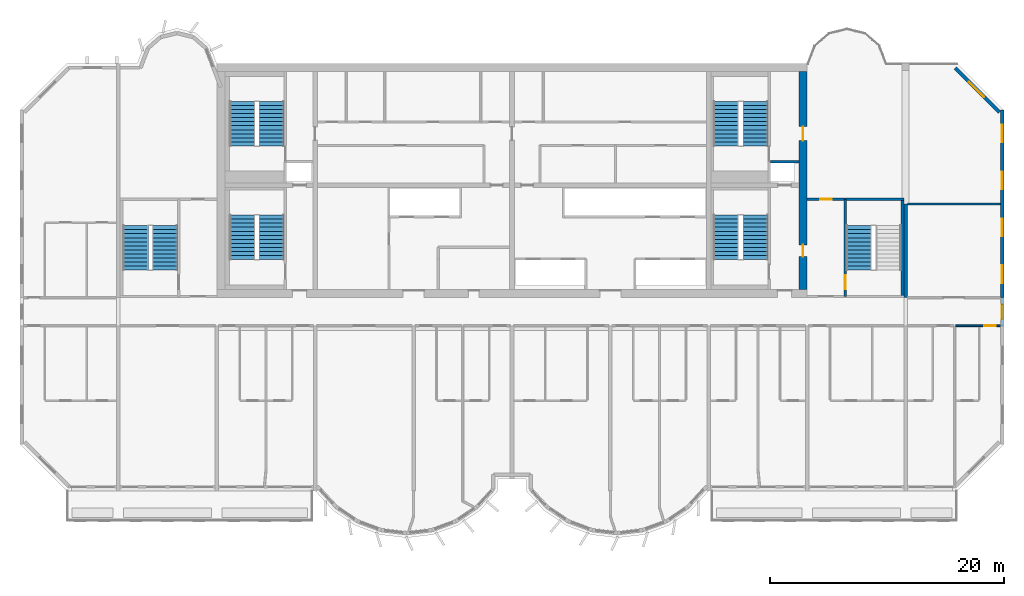
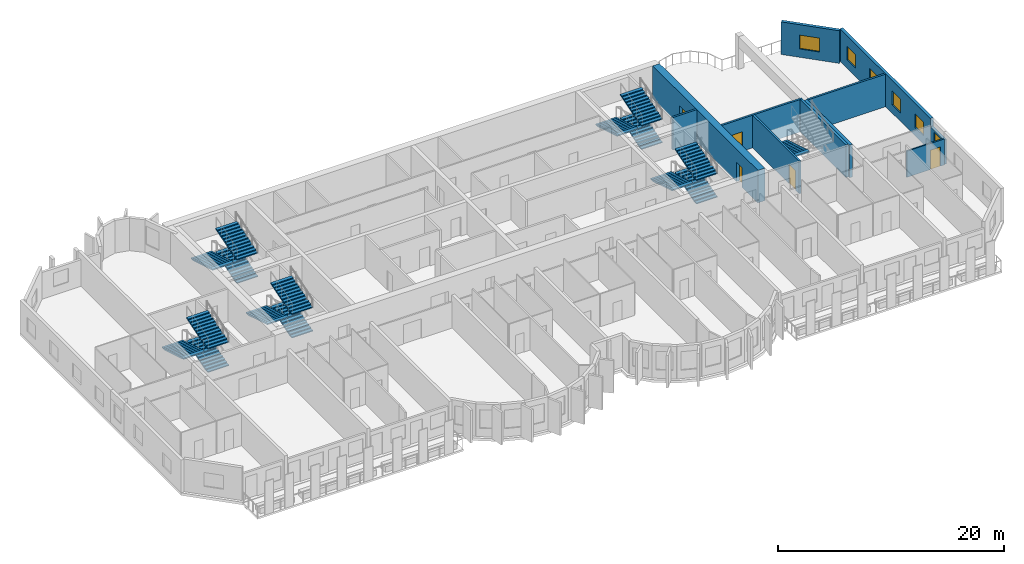
# One storey, part 9 of 13: 16 stair flights, 11 walls, 6 windows, 5 doors, 11 openings, 6 elements without a shape of their own.
"""IFC4 building model written with IfcOpenShell, lengths in metres."""

from ifc_helpers import new_model, si_unit, direction, frame, frame_2d, origin, place, context, subcontext, project, spatial, polyline, rectangle, outline, extrude, source, transform, mapped, material, layer, layer_set, type_object, element, fill, aggregate, save


model = new_model("IFC4")

# Units and contexts
model_context = context("Model", 3, precision=1e-05, world=origin(), true_north=direction((0.0, 1.0)))
body_context = subcontext(model_context, "Body", "Model", "MODEL_VIEW")
ifc_project = project(units=[si_unit("LENGTHUNIT", "METRE"), si_unit("AREAUNIT", "SQUARE_METRE"), si_unit("VOLUMEUNIT", "CUBIC_METRE"), si_unit("PLANEANGLEUNIT", "RADIAN"), si_unit("MASSUNIT", "GRAM", prefix="KILO")], contexts=[model_context])

# Site, building, storey
site_placement = place(None, origin())
site = spatial("IfcSite", under=ifc_project, at=site_placement, CompositionType="ELEMENT")
building_placement = place(site_placement, origin())
building = spatial("IfcBuilding", under=site, at=building_placement, Name="Vanashikhar Sky Hotel", CompositionType="ELEMENT")
storey_placement = place(building_placement, frame((0.0, 0.0, 155.39990234375)))
storey = spatial("IfcBuildingStorey", under=building, at=storey_placement, Name="L37", CompositionType="ELEMENT", Elevation=155.39990234375)

# Wall, openings, doors
ifc_material_1 = material(Name="Concrete M60", Category="concrete")
ifc_layer_1 = layer(ifc_material_1, 0.699951171875)
ifc_layer_set_1 = layer_set([ifc_layer_1], Name="RC core shell wall 700 Concrete M60")
wall_type_1 = type_object("IfcWallType", Name="RC core shell wall 700 Concrete M60", PredefinedType="SHEAR", material=ifc_layer_set_1)
shared_shape_1 = source(origin(), body_context, "Body", "SweptSolid", [
    extrude(rectangle(XDim=18.60009765625, YDim=0.699951171875, at=frame_2d((9.300048828125, 0.0))), origin(), (0.0, 0.0, 1.0), 3.52001953125),
])
wall_1_placement = place(storey_placement, frame((75.25, 22.699951171875, 0.0), z_axis=(0.0, 0.0, 1.0), x_axis=(0.0, 1.0, 0.0)))
wall_1 = element("IfcWall", 1, at=wall_1_placement, inside=storey, type_object=wall_type_1, Name="KW-L37-KE", PredefinedType="SHEAR", context=body_context, shape_type="MappedRepresentation", body=[
    mapped(shared_shape_1, transform((0.0, 0.0, 0.0), scale=1.0)),
])
shared_shape_2 = source(origin(), body_context, "Body", "SweptSolid", [
    extrude(rectangle(XDim=1.0, YDim=2.10009765625, at=frame_2d((0.5, 1.050048828125))), frame((0.0, 0.35986328125, 0.0), z_axis=(0.0, -1.0, 0.0), x_axis=(1.0, 0.0, 0.0)), (0.0, 0.0, 1.0), 0.719970703125),
])
opening_1_placement = place(wall_1_placement, frame((2.800048828125, 0.0, 0.0)))
opening_1 = element("IfcOpeningElement", 2, at=opening_1_placement, cuts=wall_1, Name="Opening DC-5", PredefinedType="OPENING", context=body_context, shape_type="MappedRepresentation", body=[
    mapped(shared_shape_2, transform((0.0, 0.0, 0.0), scale=1.0)),
])
shared_shape_3 = source(origin(), body_context, "Body", "SweptSolid", [
    extrude(rectangle(XDim=1.199951171875, YDim=2.10009765625, at=frame_2d((0.60009765625, 1.050048828125))), frame((0.0, 0.35986328125, 0.0), z_axis=(0.0, -1.0, 0.0), x_axis=(1.0, 0.0, 0.0)), (0.0, 0.0, 1.0), 0.719970703125),
])
opening_2_placement = place(wall_1_placement, frame((12.699951171875, 0.0, 0.0)))
opening_2 = element("IfcOpeningElement", 3, at=opening_2_placement, cuts=wall_1, Name="Opening DC-4-D", PredefinedType="OPENING", context=body_context, shape_type="MappedRepresentation", body=[
    mapped(shared_shape_3, transform((0.0, 0.0, 0.0), scale=1.0)),
])
ifc_material_2 = material(Name="Steel", Category="steel")
door_type_1 = type_object("IfcDoorType", Name="Refuge door 1000 FD120", OperationType="NOTDEFINED", PredefinedType="DOOR", material=ifc_material_2)
shared_shape_4 = source(origin(), body_context, "Body", "SweptSolid", [
    extrude(rectangle(XDim=1.0, YDim=2.10009765625, at=frame_2d((0.5, 1.050048828125))), frame((0.0, 0.02490234375, 0.0), z_axis=(0.0, -1.0, 0.0), x_axis=(1.0, 0.0, 0.0)), (0.0, 0.0, 1.0), 0.050048828125),
])
door_1_placement = place(opening_1_placement, origin())
door_1 = element("IfcDoor", 4, at=door_1_placement, inside=storey, type_object=door_type_1, Name="Refuge door 1000 FD120", OperationType="SINGLE_SWING_LEFT", OverallHeight=2.10009765625, OverallWidth=1.0, PredefinedType="DOOR", context=body_context, shape_type="MappedRepresentation", body=[
    mapped(shared_shape_4, transform((0.0, 0.0, 0.0), scale=1.0)),
])
fill(opening_1, door_1)
door_type_2 = type_object("IfcDoorType", Name="Service door 1200 FD120", OperationType="NOTDEFINED", PredefinedType="DOOR", material=ifc_material_2)
shared_shape_5 = source(origin(), body_context, "Body", "SweptSolid", [
    extrude(rectangle(XDim=1.199951171875, YDim=2.10009765625, at=frame_2d((0.60009765625, 1.050048828125))), frame((0.0, 0.02490234375, 0.0), z_axis=(0.0, -1.0, 0.0), x_axis=(1.0, 0.0, 0.0)), (0.0, 0.0, 1.0), 0.050048828125),
])
door_2_placement = place(opening_2_placement, origin())
door_2 = element("IfcDoor", 5, at=door_2_placement, inside=storey, type_object=door_type_2, Name="Service door 1200 FD120", OperationType="SINGLE_SWING_LEFT", OverallHeight=2.10009765625, OverallWidth=1.199951171875, PredefinedType="DOOR", context=body_context, shape_type="MappedRepresentation", body=[
    mapped(shared_shape_5, transform((0.0, 0.0, 0.0), scale=1.0)),
])
fill(opening_2, door_2)

# Wall, openings, windows
ifc_layer_2 = layer(ifc_material_1, 0.300048828125)
ifc_layer_set_2 = layer_set([ifc_layer_2], Name="RC shear wall 300 Concrete M60")
wall_type_2 = type_object("IfcWallType", Name="RC shear wall 300 Concrete M60", PredefinedType="SHEAR", material=ifc_layer_set_2)
shared_shape_6 = source(origin(), body_context, "Body", "SweptSolid", [
    extrude(rectangle(XDim=16.0, YDim=0.300048828125, at=frame_2d((8.0, 0.0))), origin(), (0.0, 0.0, 1.0), 3.52001953125),
])
wall_2_placement = place(storey_placement, frame((92.25, 22.0, 0.0), z_axis=(0.0, 0.0, 1.0), x_axis=(0.0, 1.0, 0.0)))
wall_2 = element("IfcWall", 6, at=wall_2_placement, inside=storey, type_object=wall_type_2, Name="CW-L37-XW12-2", PredefinedType="SHEAR", context=body_context, shape_type="MappedRepresentation", body=[
    mapped(shared_shape_6, transform((0.0, 0.0, 0.0), scale=1.0)),
])
shared_shape_7 = source(origin(), body_context, "Body", "SweptSolid", [
    extrude(rectangle(XDim=1.5, YDim=1.5, at=frame_2d((0.75, 0.75))), frame((0.0, 0.16015625, 0.0), z_axis=(0.0, -1.0, 0.0), x_axis=(1.0, 0.0, 0.0)), (0.0, 0.0, 1.0), 0.320068359375),
])
opening_3_placement = place(wall_2_placement, frame((1.25, 0.0, 0.89990234375)))
opening_3 = element("IfcOpeningElement", 7, at=opening_3_placement, cuts=wall_2, Name="Opening WN-1", PredefinedType="OPENING", context=body_context, shape_type="MappedRepresentation", body=[
    mapped(shared_shape_7, transform((0.0, 0.0, 0.0), scale=1.0)),
])
opening_4_placement = place(wall_2_placement, frame((5.25, 0.0, 0.89990234375)))
opening_4 = element("IfcOpeningElement", 8, at=opening_4_placement, cuts=wall_2, Name="Opening WN-1", PredefinedType="OPENING", context=body_context, shape_type="MappedRepresentation", body=[
    mapped(shared_shape_7, transform((0.0, 0.0, 0.0), scale=1.0)),
])
opening_5_placement = place(wall_2_placement, frame((9.25, 0.0, 0.89990234375)))
opening_5 = element("IfcOpeningElement", 9, at=opening_5_placement, cuts=wall_2, Name="Opening WN-1", PredefinedType="OPENING", context=body_context, shape_type="MappedRepresentation", body=[
    mapped(shared_shape_7, transform((0.0, 0.0, 0.0), scale=1.0)),
])
opening_6_placement = place(wall_2_placement, frame((13.25, 0.0, 0.89990234375)))
opening_6 = element("IfcOpeningElement", 10, at=opening_6_placement, cuts=wall_2, Name="Opening WN-1", PredefinedType="OPENING", context=body_context, shape_type="MappedRepresentation", body=[
    mapped(shared_shape_7, transform((0.0, 0.0, 0.0), scale=1.0)),
])
ifc_material_3 = material(Name="Glass", Category="glass")
window_type_1 = type_object("IfcWindowType", Name="Window 1500 x 1500", PartitioningType="SINGLE_PANEL", PredefinedType="WINDOW", material=ifc_material_3)
shared_shape_8 = source(origin(), body_context, "Body", "SweptSolid", [
    extrude(rectangle(XDim=1.5, YDim=1.5, at=frame_2d((0.75, 0.75))), frame((0.0, 0.030029296875, 0.0), z_axis=(0.0, -1.0, 0.0), x_axis=(1.0, 0.0, 0.0)), (0.0, 0.0, 1.0), 0.06005859375),
])
window_1_placement = place(opening_3_placement, origin())
window_1 = element("IfcWindow", 11, at=window_1_placement, inside=storey, type_object=window_type_1, Name="Window WN-1", OverallHeight=1.5, OverallWidth=1.5, PartitioningType="SINGLE_PANEL", PredefinedType="WINDOW", context=body_context, shape_type="MappedRepresentation", body=[
    mapped(shared_shape_8, transform((0.0, 0.0, 0.0), scale=1.0)),
])
fill(opening_3, window_1)
window_2_placement = place(opening_4_placement, origin())
window_2 = element("IfcWindow", 12, at=window_2_placement, inside=storey, type_object=window_type_1, Name="Window WN-1", OverallHeight=1.5, OverallWidth=1.5, PartitioningType="SINGLE_PANEL", PredefinedType="WINDOW", context=body_context, shape_type="MappedRepresentation", body=[
    mapped(shared_shape_8, transform((0.0, 0.0, 0.0), scale=1.0)),
])
fill(opening_4, window_2)
window_3_placement = place(opening_5_placement, origin())
window_3 = element("IfcWindow", 13, at=window_3_placement, inside=storey, type_object=window_type_1, Name="Window WN-1", OverallHeight=1.5, OverallWidth=1.5, PartitioningType="SINGLE_PANEL", PredefinedType="WINDOW", context=body_context, shape_type="MappedRepresentation", body=[
    mapped(shared_shape_8, transform((0.0, 0.0, 0.0), scale=1.0)),
])
fill(opening_5, window_3)
window_4_placement = place(opening_6_placement, origin())
window_4 = element("IfcWindow", 14, at=window_4_placement, inside=storey, type_object=window_type_1, Name="Window WN-1", OverallHeight=1.5, OverallWidth=1.5, PartitioningType="SINGLE_PANEL", PredefinedType="WINDOW", context=body_context, shape_type="MappedRepresentation", body=[
    mapped(shared_shape_8, transform((0.0, 0.0, 0.0), scale=1.0)),
])
fill(opening_6, window_4)

# Wall
shared_shape_9 = source(origin(), body_context, "Body", "SweptSolid", [
    extrude(rectangle(XDim=8.0, YDim=0.300048828125, at=frame_2d((4.0, 0.0))), origin(), (0.0, 0.0, 1.0), 3.52001953125),
])
wall_3_placement = place(storey_placement, frame((84.0, 22.0, 0.0), z_axis=(0.0, 0.0, 1.0), x_axis=(0.0, 1.0, 0.0)))
element("IfcWall", 15, at=wall_3_placement, inside=storey, type_object=wall_type_2, Name="CW-L37-XW11-2", PredefinedType="SHEAR", context=body_context, shape_type="MappedRepresentation", body=[
    mapped(shared_shape_9, transform((0.0, 0.0, 0.0), scale=1.0)),
])

# Wall, opening, window
ifc_material_4 = material(Name="Concrete M50", Category="concrete")
ifc_layer_3 = layer(ifc_material_4, 0.300048828125)
ifc_layer_set_3 = layer_set([ifc_layer_3], Name="Lobe wall 300")
wall_type_3 = type_object("IfcWallType", Name="Lobe wall 300", PredefinedType="SOLIDWALL", material=ifc_layer_set_3)
shared_shape_10 = source(origin(), body_context, "Body", "SweptSolid", [
    extrude(rectangle(XDim=5.32568359375, YDim=0.300048828125, at=frame_2d((2.662841796875, 0.0))), origin(), (0.0, 0.0, 1.0), 3.52001953125),
])
wall_4_placement = place(storey_placement, frame((92.0, 37.834228515625, 0.0), z_axis=(0.0, 0.0, 1.0), x_axis=(-0.707083859269, 0.707129702361, 0.0)))
wall_4 = element("IfcWall", 16, at=wall_4_placement, inside=storey, type_object=wall_type_3, Name="Corner wall", PredefinedType="SOLIDWALL", context=body_context, shape_type="MappedRepresentation", body=[
    mapped(shared_shape_10, transform((0.0, 0.0, 0.0), scale=1.0)),
])
shared_shape_11 = source(origin(), body_context, "Body", "SweptSolid", [
    extrude(rectangle(XDim=1.800048828125, YDim=1.5, at=frame_2d((0.89990234375, 0.75))), frame((0.0, 0.16015625, 0.0), z_axis=(0.0, -1.0, 0.0), x_axis=(1.0, 0.0, 0.0)), (0.0, 0.0, 1.0), 0.320068359375),
])
opening_7_placement = place(wall_4_placement, frame((1.8359375, 0.0, 0.89990234375)))
opening_7 = element("IfcOpeningElement", 17, at=opening_7_placement, cuts=wall_4, Name="Opening WN-4", PredefinedType="OPENING", context=body_context, shape_type="MappedRepresentation", body=[
    mapped(shared_shape_11, transform((0.0, 0.0, 0.0), scale=1.0)),
])
window_type_2 = type_object("IfcWindowType", Name="Corner window 1800 x 1500", PartitioningType="SINGLE_PANEL", PredefinedType="WINDOW", material=ifc_material_3)
shared_shape_12 = source(origin(), body_context, "Body", "SweptSolid", [
    extrude(rectangle(XDim=1.800048828125, YDim=1.5, at=frame_2d((0.89990234375, 0.75))), frame((0.0, 0.030029296875, 0.0), z_axis=(0.0, -1.0, 0.0), x_axis=(1.0, 0.0, 0.0)), (0.0, 0.0, 1.0), 0.06005859375),
])
window_5_placement = place(opening_7_placement, origin())
window_5 = element("IfcWindow", 18, at=window_5_placement, inside=storey, type_object=window_type_2, Name="Window WN-4", OverallHeight=1.5, OverallWidth=1.800048828125, PartitioningType="SINGLE_PANEL", PredefinedType="WINDOW", context=body_context, shape_type="MappedRepresentation", body=[
    mapped(shared_shape_12, transform((0.0, 0.0, 0.0), scale=1.0)),
])
fill(opening_7, window_5)

ifc_layer_4 = layer(ifc_material_4, 0.25)
ifc_layer_set_4 = layer_set([ifc_layer_4], Name="Rear and end board-marked wall 250")
wall_type_4 = type_object("IfcWallType", Name="Rear and end board-marked wall 250", PredefinedType="SOLIDWALL", material=ifc_layer_set_4)
shared_shape_13 = source(origin(), body_context, "Body", "SweptSolid", [
    extrude(rectangle(XDim=2.39990234375, YDim=0.25, at=frame_2d((1.199951171875, 0.0))), origin(), (0.0, 0.0, 1.0), 2.6201171875),
])
wall_5_placement = place(storey_placement, frame((92.25, 19.60009765625, 0.0), z_axis=(0.0, 0.0, 1.0), x_axis=(0.0, 1.0, 0.0)))
wall_5 = element("IfcWall", 19, at=wall_5_placement, inside=storey, type_object=wall_type_4, Name="End corridor infill wall", PredefinedType="SOLIDWALL", context=body_context, shape_type="MappedRepresentation", body=[
    mapped(shared_shape_13, transform((0.0, 0.0, 0.0), scale=1.0)),
])
shared_shape_14 = source(origin(), body_context, "Body", "SweptSolid", [
    extrude(rectangle(XDim=1.199951171875, YDim=1.5, at=frame_2d((0.60009765625, 0.75))), frame((0.0, 0.135009765625, 0.0), z_axis=(0.0, -1.0, 0.0), x_axis=(1.0, 0.0, 0.0)), (0.0, 0.0, 1.0), 0.27001953125),
])
opening_8_placement = place(wall_5_placement, frame((0.60009765625, 0.0, 0.89990234375)))
opening_8 = element("IfcOpeningElement", 20, at=opening_8_placement, cuts=wall_5, Name="Opening WN-3", PredefinedType="OPENING", context=body_context, shape_type="MappedRepresentation", body=[
    mapped(shared_shape_14, transform((0.0, 0.0, 0.0), scale=1.0)),
])
window_type_3 = type_object("IfcWindowType", Name="Corridor end window 1200 x 1500", PartitioningType="SINGLE_PANEL", PredefinedType="WINDOW", material=ifc_material_3)
shared_shape_15 = source(origin(), body_context, "Body", "SweptSolid", [
    extrude(rectangle(XDim=1.199951171875, YDim=1.5, at=frame_2d((0.60009765625, 0.75))), frame((0.0, 0.030029296875, 0.0), z_axis=(0.0, -1.0, 0.0), x_axis=(1.0, 0.0, 0.0)), (0.0, 0.0, 1.0), 0.06005859375),
])
window_6_placement = place(opening_8_placement, origin())
window_6 = element("IfcWindow", 21, at=window_6_placement, inside=storey, type_object=window_type_3, Name="Window WN-3", OverallHeight=1.5, OverallWidth=1.199951171875, PartitioningType="SINGLE_PANEL", PredefinedType="WINDOW", context=body_context, shape_type="MappedRepresentation", body=[
    mapped(shared_shape_15, transform((0.0, 0.0, 0.0), scale=1.0)),
])
fill(opening_8, window_6)

# Wall, opening, door
ifc_layer_5 = layer(ifc_material_4, 0.199951171875)
ifc_layer_set_5 = layer_set([ifc_layer_5], Name="Stair wall 200")
wall_type_5 = type_object("IfcWallType", Name="Stair wall 200", PredefinedType="SOLIDWALL", material=ifc_layer_set_5)
shared_shape_16 = source(origin(), body_context, "Body", "SweptSolid", [
    extrude(rectangle(XDim=8.2998046875, YDim=0.199951171875, at=frame_2d((4.14990234375, 0.0))), origin(), (0.0, 0.0, 1.0), 3.52001953125),
])
wall_6_placement = place(storey_placement, frame((78.85009765625, 22.10009765625, 0.0), z_axis=(0.0, 0.0, 1.0), x_axis=(0.0, 1.0, 0.0)))
wall_6 = element("IfcWall", 22, at=wall_6_placement, inside=storey, type_object=wall_type_5, Name="Stair wall 200", PredefinedType="SOLIDWALL", context=body_context, shape_type="MappedRepresentation", body=[
    mapped(shared_shape_16, transform((0.0, 0.0, 0.0), scale=1.0)),
])
shared_shape_17 = source(origin(), body_context, "Body", "SweptSolid", [
    extrude(rectangle(XDim=1.199951171875, YDim=2.10009765625, at=frame_2d((0.60009765625, 1.050048828125))), frame((0.0, 0.10986328125, 0.0), z_axis=(0.0, -1.0, 0.0), x_axis=(1.0, 0.0, 0.0)), (0.0, 0.0, 1.0), 0.219970703125),
])
opening_9_placement = place(wall_6_placement, frame((0.60009765625, 0.0, 0.0)))
opening_9 = element("IfcOpeningElement", 23, at=opening_9_placement, cuts=wall_6, Name="Opening DC-1", PredefinedType="OPENING", context=body_context, shape_type="MappedRepresentation", body=[
    mapped(shared_shape_17, transform((0.0, 0.0, 0.0), scale=1.0)),
])
door_type_3 = type_object("IfcDoorType", Name="Stair door 1200 FD120", OperationType="NOTDEFINED", PredefinedType="DOOR", material=ifc_material_2)
door_3_placement = place(opening_9_placement, origin())
door_3 = element("IfcDoor", 24, at=door_3_placement, inside=storey, type_object=door_type_3, Name="Stair door 1200 FD120", OperationType="SINGLE_SWING_RIGHT", OverallHeight=2.10009765625, OverallWidth=1.199951171875, PredefinedType="DOOR", context=body_context, shape_type="MappedRepresentation", body=[
    mapped(shared_shape_5, transform((0.0, 0.0, 0.0), scale=1.0)),
])
fill(opening_9, door_3)

# Wall
ifc_material_5 = material(Name="Concrete M40", Category="concrete")
ifc_layer_6 = layer(ifc_material_5, 0.199951171875)
ifc_layer_set_6 = layer_set([ifc_layer_6], Name="Shaft wall 200")
wall_type_6 = type_object("IfcWallType", Name="Shaft wall 200", PredefinedType="SOLIDWALL", material=ifc_layer_set_6)
shared_shape_18 = source(origin(), body_context, "Body", "SweptSolid", [
    extrude(rectangle(XDim=2.449951171875, YDim=0.199951171875, at=frame_2d((1.22509765625, 0.0))), origin(), (0.0, 0.0, 1.0), 3.52001953125),
])
wall_7_placement = place(storey_placement, frame((72.449951171875, 33.60009765625, 0.0), z_axis=(0.0, 0.0, 1.0), x_axis=(1.0, 0.0, 0.0)))
element("IfcWall", 25, at=wall_7_placement, inside=storey, type_object=wall_type_6, Name="Shaft wall 200", PredefinedType="SOLIDWALL", context=body_context, shape_type="MappedRepresentation", body=[
    mapped(shared_shape_18, transform((0.0, 0.0, 0.0), scale=1.0)),
])

# Wall, opening, door
shared_shape_19 = source(origin(), body_context, "Body", "SweptSolid", [
    extrude(rectangle(XDim=8.25, YDim=0.199951171875, at=frame_2d((4.125, 0.0))), origin(), (0.0, 0.0, 1.0), 3.52001953125),
])
wall_8_placement = place(storey_placement, frame((83.85009765625, 30.39990234375, 0.0), z_axis=(0.0, 0.0, 1.0), x_axis=(-1.0, 0.0, 0.0)))
wall_8 = element("IfcWall", 26, at=wall_8_placement, inside=storey, type_object=wall_type_5, Name="Stair wall 200", PredefinedType="SOLIDWALL", context=body_context, shape_type="MappedRepresentation", body=[
    mapped(shared_shape_19, transform((0.0, 0.0, 0.0), scale=1.0)),
])
shared_shape_20 = source(origin(), body_context, "Body", "SweptSolid", [
    extrude(rectangle(XDim=1.0, YDim=2.10009765625, at=frame_2d((0.5, 1.050048828125))), frame((0.0, 0.10986328125, 0.0), z_axis=(0.0, -1.0, 0.0), x_axis=(1.0, 0.0, 0.0)), (0.0, 0.0, 1.0), 0.219970703125),
])
opening_10_placement = place(wall_8_placement, frame((6.14990234375, 0.0, 0.0)))
opening_10 = element("IfcOpeningElement", 27, at=opening_10_placement, cuts=wall_8, Name="Opening DC-6", PredefinedType="OPENING", context=body_context, shape_type="MappedRepresentation", body=[
    mapped(shared_shape_20, transform((0.0, 0.0, 0.0), scale=1.0)),
])
door_type_4 = type_object("IfcDoorType", Name="Pocket door 1000 FD60", OperationType="NOTDEFINED", PredefinedType="DOOR", material=ifc_material_2)
door_4_placement = place(opening_10_placement, origin())
door_4 = element("IfcDoor", 28, at=door_4_placement, inside=storey, type_object=door_type_4, Name="Pocket door 1000 FD60", OperationType="SINGLE_SWING_LEFT", OverallHeight=2.10009765625, OverallWidth=1.0, PredefinedType="DOOR", context=body_context, shape_type="MappedRepresentation", body=[
    mapped(shared_shape_4, transform((0.0, 0.0, 0.0), scale=1.0)),
])
fill(opening_10, door_4)

# Wall
ifc_layer_7 = layer(ifc_material_4, 0.25)
ifc_layer_set_7 = layer_set([ifc_layer_7], Name="Stair infill wall 250")
wall_type_7 = type_object("IfcWallType", Name="Stair infill wall 250", PredefinedType="SOLIDWALL", material=ifc_layer_set_7)
shared_shape_21 = source(origin(), body_context, "Body", "SweptSolid", [
    extrude(rectangle(XDim=8.10009765625, YDim=0.25, at=frame_2d((4.050048828125, 0.0))), origin(), (0.0, 0.0, 1.0), 3.52001953125),
])
wall_9_placement = place(storey_placement, frame((83.72509765625, 22.199951171875, 0.0), z_axis=(0.0, 0.0, 1.0), x_axis=(0.0, 1.0, 0.0)))
element("IfcWall", 29, at=wall_9_placement, inside=storey, type_object=wall_type_7, Name="Stair infill wall 250", PredefinedType="SOLIDWALL", context=body_context, shape_type="MappedRepresentation", body=[
    mapped(shared_shape_21, transform((0.0, 0.0, 0.0), scale=1.0)),
])

# Wall, opening, door
ifc_material_6 = material(Name="Gypsum plasterboard partition")
ifc_layer_8 = layer(ifc_material_6, 0.14990234375)
ifc_layer_set_8 = layer_set([ifc_layer_8], Name="Corridor and demising partition 150")
wall_type_8 = type_object("IfcWallType", Name="Corridor and demising partition 150", PredefinedType="PARTITIONING", material=ifc_layer_set_8)
shared_shape_22 = source(origin(), body_context, "Body", "SweptSolid", [
    extrude(rectangle(XDim=3.8251953125, YDim=0.14990234375, at=frame_2d((1.91259765625, 0.0))), origin(), (0.0, 0.0, 1.0), 2.820068359375),
])
wall_10_placement = place(storey_placement, frame((88.27490234375, 19.60009765625, 0.0), z_axis=(0.0, 0.0, 1.0), x_axis=(1.0, 0.0, 0.0)))
wall_10 = element("IfcWall", 30, at=wall_10_placement, inside=storey, type_object=wall_type_8, Name="W-L37-PW051", PredefinedType="PARTITIONING", context=body_context, shape_type="MappedRepresentation", body=[
    mapped(shared_shape_22, transform((0.0, 0.0, 0.0), scale=1.0)),
])
shared_shape_23 = source(origin(), body_context, "Body", "SweptSolid", [
    extrude(rectangle(XDim=1.0, YDim=2.10009765625, at=frame_2d((0.5, 1.050048828125))), frame((0.0, 0.0849609375, 0.0), z_axis=(0.0, -1.0, 0.0), x_axis=(1.0, 0.0, 0.0)), (0.0, 0.0, 1.0), 0.169921875),
])
opening_11_placement = place(wall_10_placement, frame((2.425048828125, 0.0, 0.0)))
opening_11 = element("IfcOpeningElement", 31, at=opening_11_placement, cuts=wall_10, Name="Opening D-01", PredefinedType="OPENING", context=body_context, shape_type="MappedRepresentation", body=[
    mapped(shared_shape_23, transform((0.0, 0.0, 0.0), scale=1.0)),
])
ifc_material_7 = material(Name="Timber fire door", Category="wood")
door_type_5 = type_object("IfcDoorType", Name="Guest entry door 1000 FD30S", OperationType="NOTDEFINED", PredefinedType="DOOR", material=ifc_material_7)
door_5_placement = place(opening_11_placement, origin())
door_5 = element("IfcDoor", 32, at=door_5_placement, inside=storey, type_object=door_type_5, Name="D-L37-031", OperationType="SINGLE_SWING_RIGHT", OverallHeight=2.10009765625, OverallWidth=1.0, PredefinedType="DOOR", context=body_context, shape_type="MappedRepresentation", body=[
    mapped(shared_shape_4, transform((0.0, 0.0, 0.0), scale=1.0)),
])
fill(opening_11, door_5)

# Wall
ifc_material_8 = material(Name="Masonry partition", Category="masonry")
ifc_layer_9 = layer(ifc_material_8, 0.199951171875)
ifc_layer_set_9 = layer_set([ifc_layer_9], Name="Refuge enclosure wall 200")
wall_type_9 = type_object("IfcWallType", Name="Refuge enclosure wall 200", PredefinedType="PARTITIONING", material=ifc_layer_set_9)
shared_shape_24 = source(origin(), body_context, "Body", "SweptSolid", [
    extrude(rectangle(XDim=7.9501953125, YDim=0.199951171875, at=frame_2d((3.97509765625, 0.0))), origin(), (0.0, 0.0, 1.0), 3.52001953125),
])
wall_11_placement = place(storey_placement, frame((84.14990234375, 30.0, 0.0), z_axis=(0.0, 0.0, 1.0), x_axis=(1.0, 0.0, 0.0)))
element("IfcWall", 33, at=wall_11_placement, inside=storey, type_object=wall_type_9, Name="W-L37-PW061", PredefinedType="PARTITIONING", context=body_context, shape_type="MappedRepresentation", body=[
    mapped(shared_shape_24, transform((0.0, 0.0, 0.0), scale=1.0)),
])

# Stair, stair flights
stair_type = type_object("IfcStairType", Name="Exit stair 2150", PredefinedType="DOUBLE_RETURN_STAIR", material=ifc_material_5)
stair_1_placement = place(storey_placement, origin())
stair_1 = element("IfcStair", 34, at=stair_1_placement, inside=storey, type_object=stair_type, Name="L37 Exit stair 1", PredefinedType="DOUBLE_RETURN_STAIR")
stair_flight_type = type_object("IfcStairFlightType", Name="Stair flight 2150", PredefinedType="STRAIGHT", material=ifc_material_5)
shared_shape_25 = source(origin(), body_context, "Body", "SweptSolid", [
    extrude(outline(polyline([(0.0, 0.0), (0.0, 0.10546875), (0.345458984375, 0.10546875), (0.345458984375, 0.211181640625), (0.69091796875, 0.211181640625), (0.69091796875, 0.316650390625), (1.036376953125, 0.316650390625), (1.036376953125, 0.422119140625), (1.3818359375, 0.422119140625), (1.3818359375, 0.52783203125), (1.727294921875, 0.52783203125), (1.727294921875, 0.63330078125), (2.07275390625, 0.63330078125), (2.07275390625, 0.73876953125), (2.418212890625, 0.73876953125), (2.418212890625, 0.844482421875), (2.763671875, 0.844482421875), (2.763671875, 0.949951171875), (3.109130859375, 0.949951171875), (3.109130859375, 1.0556640625), (3.45458984375, 1.0556640625), (3.45458984375, 1.1611328125), (3.800048828125, 1.1611328125), (3.800048828125, 1.2666015625), (3.800048828125, 1.035400390625), (0.4111328125, 0.0), (0.0, 0.0)])), frame((0.0, 1.074951171875, 0.0), z_axis=(0.0, -1.0, 0.0), x_axis=(1.0, 0.0, 0.0)), (0.0, 0.0, 1.0), 2.14990234375),
])
stair_flight_1_placement = place(storey_placement, frame((29.875, 25.25, 0.0), z_axis=(0.0, 0.0, 1.0), x_axis=(0.0, 1.0, 0.0)))
stair_flight_1 = element("IfcStairFlight", 35, at=stair_flight_1_placement, type_object=stair_flight_type, Name="ST-C1 flight 1", NumberOfRisers=12, NumberOfTreads=11, PredefinedType="STRAIGHT", RiserHeight=0.105555556, TreadLength=0.345454545, context=body_context, shape_type="MappedRepresentation", body=[
    mapped(shared_shape_25, transform((0.0, 0.0, 0.0), scale=1.0)),
])
stair_flight_2_placement = place(storey_placement, frame((27.375, 29.050048828125, 1.266845703125), z_axis=(0.0, 0.0, 1.0), x_axis=(0.0, -1.0, 0.0)))
stair_flight_2 = element("IfcStairFlight", 36, at=stair_flight_2_placement, type_object=stair_flight_type, Name="ST-C1 flight 2", NumberOfRisers=12, NumberOfTreads=11, PredefinedType="STRAIGHT", RiserHeight=0.105555556, TreadLength=0.345454545, context=body_context, shape_type="MappedRepresentation", body=[
    mapped(shared_shape_25, transform((0.0, 0.0, 0.0), scale=1.0)),
])
stair_flight_3_placement = place(storey_placement, frame((29.875, 25.25, 2.533447265625), z_axis=(0.0, 0.0, 1.0), x_axis=(0.0, 1.0, 0.0)))
stair_flight_3 = element("IfcStairFlight", 37, at=stair_flight_3_placement, type_object=stair_flight_type, Name="ST-C1 flight 3", NumberOfRisers=12, NumberOfTreads=11, PredefinedType="STRAIGHT", RiserHeight=0.105555556, TreadLength=0.345454545, context=body_context, shape_type="MappedRepresentation", body=[
    mapped(shared_shape_25, transform((0.0, 0.0, 0.0), scale=1.0)),
])
aggregate(stair_1, [stair_flight_1, stair_flight_2, stair_flight_3])

stair_2_placement = place(storey_placement, origin())
stair_2 = element("IfcStair", 38, at=stair_2_placement, inside=storey, type_object=stair_type, Name="L37 Exit stair 2", PredefinedType="DOUBLE_RETURN_STAIR")
stair_flight_4_placement = place(storey_placement, frame((71.175048828125, 25.25, 0.0), z_axis=(0.0, 0.0, 1.0), x_axis=(0.0, 1.0, 0.0)))
stair_flight_4 = element("IfcStairFlight", 39, at=stair_flight_4_placement, type_object=stair_flight_type, Name="ST-C2 flight 1", NumberOfRisers=12, NumberOfTreads=11, PredefinedType="STRAIGHT", RiserHeight=0.105555556, TreadLength=0.345454545, context=body_context, shape_type="MappedRepresentation", body=[
    mapped(shared_shape_25, transform((0.0, 0.0, 0.0), scale=1.0)),
])
stair_flight_5_placement = place(storey_placement, frame((68.675048828125, 29.050048828125, 1.266845703125), z_axis=(0.0, 0.0, 1.0), x_axis=(0.0, -1.0, 0.0)))
stair_flight_5 = element("IfcStairFlight", 40, at=stair_flight_5_placement, type_object=stair_flight_type, Name="ST-C2 flight 2", NumberOfRisers=12, NumberOfTreads=11, PredefinedType="STRAIGHT", RiserHeight=0.105555556, TreadLength=0.345454545, context=body_context, shape_type="MappedRepresentation", body=[
    mapped(shared_shape_25, transform((0.0, 0.0, 0.0), scale=1.0)),
])
stair_flight_6_placement = place(storey_placement, frame((71.175048828125, 25.25, 2.533447265625), z_axis=(0.0, 0.0, 1.0), x_axis=(0.0, 1.0, 0.0)))
stair_flight_6 = element("IfcStairFlight", 41, at=stair_flight_6_placement, type_object=stair_flight_type, Name="ST-C2 flight 3", NumberOfRisers=12, NumberOfTreads=11, PredefinedType="STRAIGHT", RiserHeight=0.105555556, TreadLength=0.345454545, context=body_context, shape_type="MappedRepresentation", body=[
    mapped(shared_shape_25, transform((0.0, 0.0, 0.0), scale=1.0)),
])
aggregate(stair_2, [stair_flight_4, stair_flight_5, stair_flight_6])

stair_3_placement = place(storey_placement, origin())
stair_3 = element("IfcStair", 42, at=stair_3_placement, inside=storey, type_object=stair_type, Name="L37 Exit stair 3", PredefinedType="DOUBLE_RETURN_STAIR")
stair_flight_7_placement = place(storey_placement, frame((20.77490234375, 24.35009765625, 0.0), z_axis=(0.0, 0.0, 1.0), x_axis=(0.0, 1.0, 0.0)))
stair_flight_7 = element("IfcStairFlight", 43, at=stair_flight_7_placement, type_object=stair_flight_type, Name="ST-W flight 1", NumberOfRisers=12, NumberOfTreads=11, PredefinedType="STRAIGHT", RiserHeight=0.105555556, TreadLength=0.345454545, context=body_context, shape_type="MappedRepresentation", body=[
    mapped(shared_shape_25, transform((0.0, 0.0, 0.0), scale=1.0)),
])
stair_flight_8_placement = place(storey_placement, frame((18.27490234375, 28.14990234375, 1.266845703125), z_axis=(0.0, 0.0, 1.0), x_axis=(0.0, -1.0, 0.0)))
stair_flight_8 = element("IfcStairFlight", 44, at=stair_flight_8_placement, type_object=stair_flight_type, Name="ST-W flight 2", NumberOfRisers=12, NumberOfTreads=11, PredefinedType="STRAIGHT", RiserHeight=0.105555556, TreadLength=0.345454545, context=body_context, shape_type="MappedRepresentation", body=[
    mapped(shared_shape_25, transform((0.0, 0.0, 0.0), scale=1.0)),
])
stair_flight_9_placement = place(storey_placement, frame((20.77490234375, 24.35009765625, 2.533447265625), z_axis=(0.0, 0.0, 1.0), x_axis=(0.0, 1.0, 0.0)))
stair_flight_9 = element("IfcStairFlight", 45, at=stair_flight_9_placement, type_object=stair_flight_type, Name="ST-W flight 3", NumberOfRisers=12, NumberOfTreads=11, PredefinedType="STRAIGHT", RiserHeight=0.105555556, TreadLength=0.345454545, context=body_context, shape_type="MappedRepresentation", body=[
    mapped(shared_shape_25, transform((0.0, 0.0, 0.0), scale=1.0)),
])
aggregate(stair_3, [stair_flight_7, stair_flight_8, stair_flight_9])

# Stair, stair flight
stair_4_placement = place(storey_placement, origin())
stair_4 = element("IfcStair", 46, at=stair_4_placement, inside=storey, type_object=stair_type, Name="L37 Exit stair 4", PredefinedType="DOUBLE_RETURN_STAIR")
stair_flight_10_placement = place(storey_placement, frame((80.02490234375, 28.14990234375, 1.266845703125), z_axis=(0.0, 0.0, 1.0), x_axis=(0.0, -1.0, 0.0)))
stair_flight_10 = element("IfcStairFlight", 47, at=stair_flight_10_placement, type_object=stair_flight_type, Name="ST-E flight 2", NumberOfRisers=12, NumberOfTreads=11, PredefinedType="STRAIGHT", RiserHeight=0.105555556, TreadLength=0.345454545, context=body_context, shape_type="MappedRepresentation", body=[
    mapped(shared_shape_25, transform((0.0, 0.0, 0.0), scale=1.0)),
])
aggregate(stair_4, [stair_flight_10])

# Stair, stair flights
stair_5_placement = place(storey_placement, origin())
stair_5 = element("IfcStair", 48, at=stair_5_placement, inside=storey, type_object=stair_type, Name="L37 Exit stair 5", PredefinedType="DOUBLE_RETURN_STAIR")
stair_flight_11_placement = place(storey_placement, frame((29.875, 34.949951171875, 0.0), z_axis=(0.0, 0.0, 1.0), x_axis=(0.0, 1.0, 0.0)))
stair_flight_11 = element("IfcStairFlight", 49, at=stair_flight_11_placement, type_object=stair_flight_type, Name="ST-C3 flight 1", NumberOfRisers=12, NumberOfTreads=11, PredefinedType="STRAIGHT", RiserHeight=0.105555556, TreadLength=0.345454545, context=body_context, shape_type="MappedRepresentation", body=[
    mapped(shared_shape_25, transform((0.0, 0.0, 0.0), scale=1.0)),
])
stair_flight_12_placement = place(storey_placement, frame((27.375, 38.75, 1.266845703125), z_axis=(0.0, 0.0, 1.0), x_axis=(0.0, -1.0, 0.0)))
stair_flight_12 = element("IfcStairFlight", 50, at=stair_flight_12_placement, type_object=stair_flight_type, Name="ST-C3 flight 2", NumberOfRisers=12, NumberOfTreads=11, PredefinedType="STRAIGHT", RiserHeight=0.105555556, TreadLength=0.345454545, context=body_context, shape_type="MappedRepresentation", body=[
    mapped(shared_shape_25, transform((0.0, 0.0, 0.0), scale=1.0)),
])
stair_flight_13_placement = place(storey_placement, frame((29.875, 34.949951171875, 2.533447265625), z_axis=(0.0, 0.0, 1.0), x_axis=(0.0, 1.0, 0.0)))
stair_flight_13 = element("IfcStairFlight", 51, at=stair_flight_13_placement, type_object=stair_flight_type, Name="ST-C3 flight 3", NumberOfRisers=12, NumberOfTreads=11, PredefinedType="STRAIGHT", RiserHeight=0.105555556, TreadLength=0.345454545, context=body_context, shape_type="MappedRepresentation", body=[
    mapped(shared_shape_25, transform((0.0, 0.0, 0.0), scale=1.0)),
])
aggregate(stair_5, [stair_flight_11, stair_flight_12, stair_flight_13])

stair_6_placement = place(storey_placement, origin())
stair_6 = element("IfcStair", 52, at=stair_6_placement, inside=storey, type_object=stair_type, Name="L37 Exit stair 6", PredefinedType="DOUBLE_RETURN_STAIR")
stair_flight_14_placement = place(storey_placement, frame((71.175048828125, 34.949951171875, 0.0), z_axis=(0.0, 0.0, 1.0), x_axis=(0.0, 1.0, 0.0)))
stair_flight_14 = element("IfcStairFlight", 53, at=stair_flight_14_placement, type_object=stair_flight_type, Name="ST-C4 flight 1", NumberOfRisers=12, NumberOfTreads=11, PredefinedType="STRAIGHT", RiserHeight=0.105555556, TreadLength=0.345454545, context=body_context, shape_type="MappedRepresentation", body=[
    mapped(shared_shape_25, transform((0.0, 0.0, 0.0), scale=1.0)),
])
stair_flight_15_placement = place(storey_placement, frame((68.675048828125, 38.75, 1.266845703125), z_axis=(0.0, 0.0, 1.0), x_axis=(0.0, -1.0, 0.0)))
stair_flight_15 = element("IfcStairFlight", 54, at=stair_flight_15_placement, type_object=stair_flight_type, Name="ST-C4 flight 2", NumberOfRisers=12, NumberOfTreads=11, PredefinedType="STRAIGHT", RiserHeight=0.105555556, TreadLength=0.345454545, context=body_context, shape_type="MappedRepresentation", body=[
    mapped(shared_shape_25, transform((0.0, 0.0, 0.0), scale=1.0)),
])
stair_flight_16_placement = place(storey_placement, frame((71.175048828125, 34.949951171875, 2.533447265625), z_axis=(0.0, 0.0, 1.0), x_axis=(0.0, 1.0, 0.0)))
stair_flight_16 = element("IfcStairFlight", 55, at=stair_flight_16_placement, type_object=stair_flight_type, Name="ST-C4 flight 3", NumberOfRisers=12, NumberOfTreads=11, PredefinedType="STRAIGHT", RiserHeight=0.105555556, TreadLength=0.345454545, context=body_context, shape_type="MappedRepresentation", body=[
    mapped(shared_shape_25, transform((0.0, 0.0, 0.0), scale=1.0)),
])
aggregate(stair_6, [stair_flight_14, stair_flight_15, stair_flight_16])

save(model, "model.ifc")
